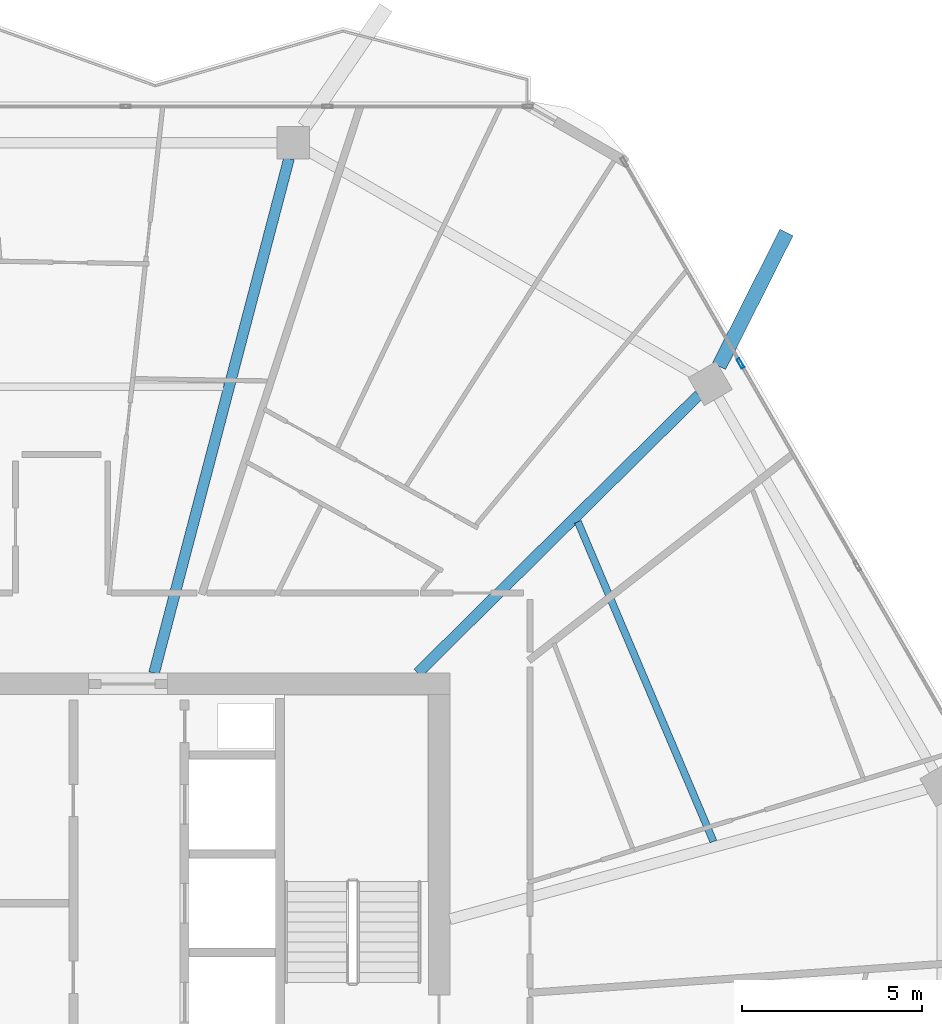
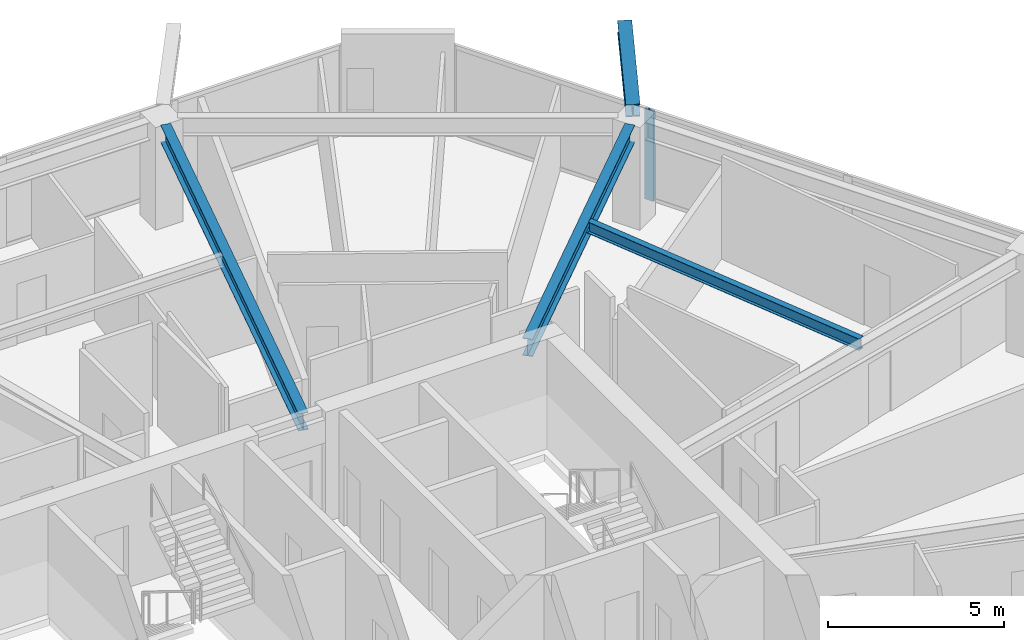
# One storey, part 15 of 26: 4 beams, 1 member, 1 element without a shape of its own.
"""IFC4 building model written with IfcOpenShell, lengths in metres."""

from ifc_helpers import new_model, si_unit, direction, frame, origin, origin_2d, place, context, subcontext, project, spatial, hollow_rectangle, i_section, extrude, material, material_profile, profile_set, type_object, element, aggregate, save


model = new_model("IFC4")

# Units and contexts
model_context = context("Model", 3, precision=1e-05, world=origin(), true_north=direction((0.0, 1.0)))
body_context = subcontext(model_context, "Body", "Model", "MODEL_VIEW")
ifc_project = project(units=[si_unit("LENGTHUNIT", "METRE"), si_unit("AREAUNIT", "SQUARE_METRE"), si_unit("VOLUMEUNIT", "CUBIC_METRE"), si_unit("PLANEANGLEUNIT", "RADIAN"), si_unit("MASSUNIT", "GRAM", prefix="KILO")], contexts=[model_context])

# Site, building, storey
site_placement = place(None, origin())
site = spatial("IfcSite", under=ifc_project, at=site_placement, CompositionType="ELEMENT")
building_placement = place(site_placement, origin())
building = spatial("IfcBuilding", under=site, at=building_placement, Name="Zuhravey Tower", CompositionType="ELEMENT")
storey_placement = place(building_placement, frame((0.0, 0.0, 242.60009765625)))
storey = spatial("IfcBuildingStorey", under=building, at=storey_placement, Name="L61", CompositionType="ELEMENT", Elevation=242.60009765625)

# Curtain wall, member
ifc_material_1 = material(Name="Thermally broken anodised aluminium", Category="aluminium")
curtain_wall_type = type_object("IfcCurtainWallType", Name="Zone 3-4 High-Rise Curtain Wall CW4", PredefinedType="NOTDEFINED", material=ifc_material_1)
curtain_wall_placement = place(storey_placement, origin())
curtain_wall = element("IfcCurtainWall", 1, at=curtain_wall_placement, inside=storey, type_object=curtain_wall_type, Name="L61 CW4 CW-L61-F1-1", PredefinedType="NOTDEFINED")
ifc_material_2 = material(Name="Anodised aluminium", Category="aluminium")
ifc_material_profile_1 = material_profile(ifc_material_2, hollow_rectangle(XDim=0.090087890625, YDim=0.284912109375, WallThickness=0.0048828125, at=origin_2d()), Name="ALU-RHS-90x285x5")
ifc_profile_set_1 = profile_set([ifc_material_profile_1], Name="Anodised aluminium")
member_type = type_object("IfcMemberType", Name="Curtain-Wall Mullion 90x180", PredefinedType="MULLION", material=ifc_profile_set_1)
member_placement = place(storey_placement, frame((54.885498046875, 50.41650390625, 0.0), z_axis=(0.0, 0.0, 1.0), x_axis=(0.866024851021, 0.500000957414, 0.0)))
member = element("IfcMember", 2, at=member_placement, type_object=member_type, Name="CW4 mullion 2", PredefinedType="MULLION", context=body_context, shape_type="SweptSolid", body=[
    extrude(hollow_rectangle(XDim=0.090087890625, YDim=0.284912109375, WallThickness=0.0048828125, at=origin_2d()), origin(), (0.0, 0.0, 1.0), 3.121826171875),
])
aggregate(curtain_wall, [member])

# Beams
ifc_material_3 = material(Name="Steel SM460", Category="steel")
ifc_material_profile_2 = material_profile(ifc_material_3, i_section(OverallWidth=0.406982421875, OverallDepth=0.427978515625, WebThickness=0.02001953125, FlangeThickness=0.034912109375, at=origin_2d()), Name="H-428x407x20x35")
ifc_profile_set_2 = profile_set([ifc_material_profile_2], Name="Steel SM460")
beam_type_1 = type_object("IfcBeamType", Name="Exoskeleton Node Tie Beam H428x407", PredefinedType="BEAM", material=ifc_profile_set_2)
beam_1_placement = place(storey_placement, frame((54.28759765625, 50.338623046875, 3.3359375), z_axis=(0.450375852235, 0.892839062611, 0.0), x_axis=(-0.892839062611, 0.450375852235, 0.0)))
element("IfcBeam", 3, at=beam_1_placement, inside=storey, type_object=beam_type_1, Name="L61 Exoskeleton Node Tie NT1-02", PredefinedType="BEAM", context=body_context, shape_type="SweptSolid", body=[
    extrude(i_section(OverallWidth=0.406982421875, OverallDepth=0.427978515625, WebThickness=0.02001953125, FlangeThickness=0.034912109375, at=origin_2d()), origin(), (0.0, 0.0, 1.0), 4.165283203125),
])
ifc_material_4 = material(Name="Steel SM355", Category="steel")
ifc_material_profile_3 = material_profile(ifc_material_4, i_section(OverallWidth=0.300048828125, OverallDepth=0.60009765625, WebThickness=0.011962890625, FlangeThickness=0.02001953125, at=origin_2d()), Name="H-600x300x12x20")
ifc_profile_set_3 = profile_set([ifc_material_profile_3], Name="Steel SM355")
beam_type_2 = type_object("IfcBeamType", Name="Radial Primary Girder H600x300", PredefinedType="BEAM", material=ifc_profile_set_3)
beam_2_placement = place(storey_placement, frame((45.90673828125, 41.802978515625, 3.25), z_axis=(0.710816516282, 0.703377480576, 0.0), x_axis=(-0.703377480576, 0.710816516282, 0.0)))
element("IfcBeam", 4, at=beam_2_placement, inside=storey, type_object=beam_type_2, Name="L61 RG3 BM-L61-RAD-02", PredefinedType="BEAM", context=body_context, shape_type="SweptSolid", body=[
    extrude(i_section(OverallWidth=0.300048828125, OverallDepth=0.60009765625, WebThickness=0.011962890625, FlangeThickness=0.02001953125, at=origin_2d()), origin(), (0.0, 0.0, 1.0), 10.994384765625),
])
beam_3_placement = place(storey_placement, frame((38.571533203125, 41.802978515625, 3.25), z_axis=(0.253731415841, 0.967274712073, 0.0), x_axis=(-0.967274712073, 0.253731415841, 0.0)))
element("IfcBeam", 5, at=beam_3_placement, inside=storey, type_object=beam_type_2, Name="L61 RG3 BM-L61-RAD-03", PredefinedType="BEAM", context=body_context, shape_type="SweptSolid", body=[
    extrude(i_section(OverallWidth=0.300048828125, OverallDepth=0.60009765625, WebThickness=0.011962890625, FlangeThickness=0.02001953125, at=origin_2d()), origin(), (0.0, 0.0, 1.0), 14.796630859375),
])
ifc_material_profile_4 = material_profile(ifc_material_4, i_section(OverallWidth=0.199951171875, OverallDepth=0.39990234375, WebThickness=0.008056640625, FlangeThickness=0.012939453125, at=origin_2d()), Name="H-400x200x8x13")
ifc_profile_set_4 = profile_set([ifc_material_profile_4], Name="Steel SM355")
beam_type_3 = type_object("IfcBeamType", Name="Secondary Floor Joist H400x200", PredefinedType="JOIST", material=ifc_profile_set_4)
beam_4_placement = place(storey_placement, frame((54.130859375, 37.118896484375, 3.349853515625), z_axis=(-0.390413493754, 0.920639616731, 0.0), x_axis=(-0.920639616731, -0.390413493754, 0.0)))
element("IfcBeam", 6, at=beam_4_placement, inside=storey, type_object=beam_type_3, Name="L61 SJ2 BM-L61-SJ-01-1", PredefinedType="JOIST", context=body_context, shape_type="SweptSolid", body=[
    extrude(i_section(OverallWidth=0.199951171875, OverallDepth=0.39990234375, WebThickness=0.008056640625, FlangeThickness=0.012939453125, at=origin_2d()), origin(), (0.0, 0.0, 1.0), 9.656494140625),
])

save(model, "model.ifc")
